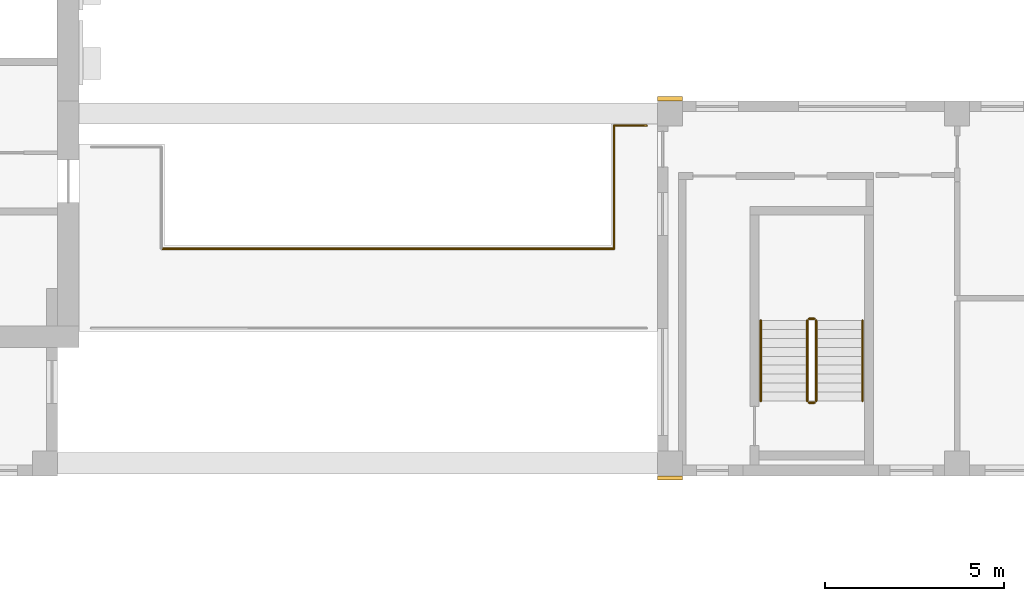
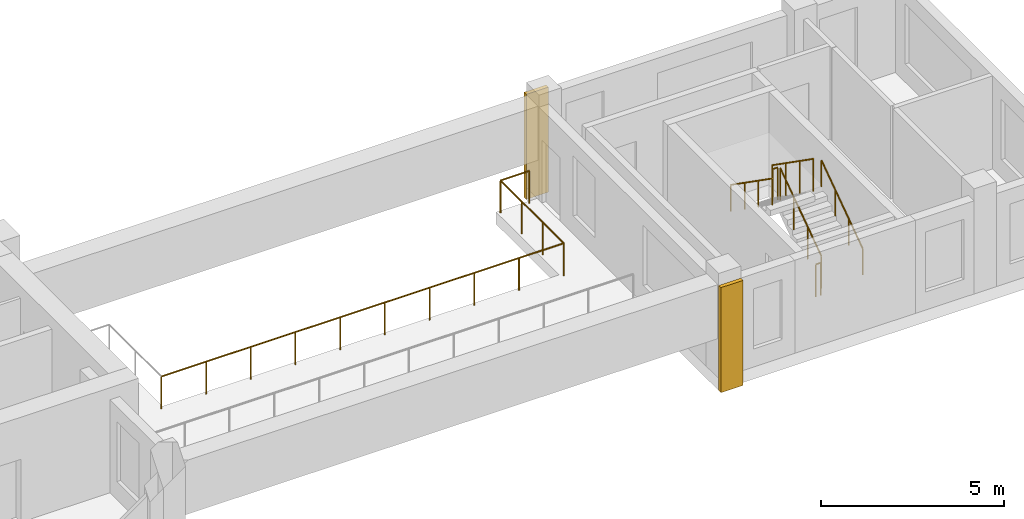
# One storey, part 8 of 9: 9 railings, 2 coverings.
"""IFC4 building model written with IfcOpenShell, lengths in metres."""

import ifcopenshell
import ifcopenshell.guid

model = None  # the IFC model being written
_history = None  # IfcOwnerHistory: only IFC2X3 demands one
_inside = {}  # id of a spatial element -> (the spatial element, [elements in it])
_under = {}  # id of a project, library or spatial element -> (it, [spatial elements below it])
_declared = {}  # id of a project -> (the project, [libraries it declares])
_typed = {}  # id of a type object -> (the type object, [elements of that type])
_made_of = {}  # id of a material, layer set ... -> (it, [elements and type objects made of it])


def new_model(schema):
    """Start an empty IFC model of exactly this schema.

    Asked for "IFC4X3", IfcOpenShell would pick the latest addendum, in which some entities
    have other attributes; the version numbers below select the first issue.
    IFC2X3 requires an IfcOwnerHistory on every rooted entity: one is made here for all.
    """
    global model, _history
    if schema == "IFC4X3":
        model = ifcopenshell.file(schema_version=(4, 3, 0, 0))
    else:
        model = ifcopenshell.file(schema=schema)
    _inside.clear()
    _under.clear()
    _declared.clear()
    _typed.clear()
    _made_of.clear()
    _history = None
    if model.schema == "IFC2X3":
        org = make("IfcOrganization", Name="unknown")
        user = make(
            "IfcPersonAndOrganization",
            ThePerson=make("IfcPerson", FamilyName="unknown"),
            TheOrganization=org,
        )
        app = make(
            "IfcApplication",
            ApplicationDeveloper=org,
            Version="unknown",
            ApplicationFullName="unknown",
            ApplicationIdentifier="unknown",
        )
        _history = make(
            "IfcOwnerHistory",
            OwningUser=user,
            OwningApplication=app,
            ChangeAction="ADDED",
            CreationDate=0,
        )
    return model


def make(cls, **values):
    """One entity of the class cls with the attributes given. An attribute that is None is left unset."""
    return model.create_entity(
        cls, **{name: value for name, value in values.items() if value is not None}
    )


def rooted(cls, **values):
    """An entity with a GlobalId (a new one), such as an element, a storey or a relation."""
    return make(cls, GlobalId=ifcopenshell.guid.new(), OwnerHistory=_history, **values)


def si_unit(unit_type, name, prefix=None):
    """IfcSIUnit, for example si_unit("LENGTHUNIT", "METRE", prefix="MILLI")."""
    return make("IfcSIUnit", UnitType=unit_type, Prefix=prefix, Name=name)


def assignment(units):
    """IfcUnitAssignment: the units of a project."""
    return None if units is None else make("IfcUnitAssignment", Units=units)


def point(xyz):
    """IfcCartesianPoint."""
    return None if xyz is None else make("IfcCartesianPoint", Coordinates=xyz)


def direction(xyz):
    """IfcDirection."""
    return None if xyz is None else make("IfcDirection", DirectionRatios=xyz)


def frame(location, z_axis=None, x_axis=None):
    """IfcAxis2Placement3D, a coordinate frame: its origin and axes. An axis left out is left unset."""
    return make(
        "IfcAxis2Placement3D",
        Location=point(location),
        Axis=direction(z_axis),
        RefDirection=direction(x_axis),
    )


def frame_2d(location, x_axis=None):
    """IfcAxis2Placement2D, a coordinate frame in the plane: its origin and x axis."""
    return make(
        "IfcAxis2Placement2D", Location=point(location), RefDirection=direction(x_axis)
    )


def origin():
    """The frame at (0, 0, 0) with its axes left unset."""
    return frame((0.0, 0.0, 0.0))


def origin_2d():
    """The frame at (0, 0) in the plane with its x axis left unset."""
    return frame_2d((0.0, 0.0))


def place(relative_to, where):
    """IfcLocalPlacement: puts the frame where relative to a parent placement (None: the world)."""
    return make(
        "IfcLocalPlacement", PlacementRelTo=relative_to, RelativePlacement=where
    )


def context(
    kind, dimensions, precision=None, world=None, true_north=None, identifier=None
):
    """IfcGeometricRepresentationContext, for example the 3D "Model" context."""
    return make(
        "IfcGeometricRepresentationContext",
        ContextIdentifier=identifier,
        ContextType=kind,
        CoordinateSpaceDimension=dimensions,
        Precision=precision,
        WorldCoordinateSystem=world,
        TrueNorth=true_north,
    )


def subcontext(parent, identifier, kind, view, scale=None):
    """IfcGeometricRepresentationSubContext, for example "Body" below "Model"."""
    return make(
        "IfcGeometricRepresentationSubContext",
        ContextIdentifier=identifier,
        ContextType=kind,
        ParentContext=parent,
        TargetScale=scale,
        TargetView=view,
    )


def project(units=None, contexts=None):
    """IfcProject with its units and contexts."""
    return rooted(
        "IfcProject",
        Name="project",
        RepresentationContexts=contexts,
        UnitsInContext=assignment(units),
    )


def spatial(cls, under=None, at=None, **own):
    """A site, building, storey or space (cls), placed at a placement, below another one or the project."""
    s = rooted(cls, ObjectPlacement=at, **own)
    if under is not None:
        _under.setdefault(under.id(), (under, []))[1].append(s)
    return s


def profile(cls, at=None, kind="AREA", **sizes):
    """A parametric profile (cls). Its sizes go by their IFC names, for example OverallWidth=200.0."""
    return make(cls, ProfileType=kind, Position=at, **sizes)


def rectangle(**sizes):
    """IfcRectangleProfileDef."""
    return profile("IfcRectangleProfileDef", **sizes)


def circle(**sizes):
    """IfcCircleProfileDef."""
    return profile("IfcCircleProfileDef", **sizes)


def extrude(swept, where, along, depth):
    """IfcExtrudedAreaSolid: the profile swept, set in the frame where, extruded along a direction by depth."""
    return make(
        "IfcExtrudedAreaSolid",
        SweptArea=swept,
        Position=where,
        ExtrudedDirection=direction(along),
        Depth=depth,
    )


def shape(context_of_items, identifier, shape_type, items):
    """IfcShapeRepresentation: the items that make up one representation, for example the "Body"."""
    return make(
        "IfcShapeRepresentation",
        ContextOfItems=context_of_items,
        RepresentationIdentifier=identifier,
        RepresentationType=shape_type,
        Items=items,
    )


def source(mapping_origin, context_of_items, identifier, shape_type, items):
    """IfcRepresentationMap: a shape defined once, which mapped items show again and again."""
    return make(
        "IfcRepresentationMap",
        MappingOrigin=mapping_origin,
        MappedRepresentation=shape(context_of_items, identifier, shape_type, items),
    )


def transform(
    local_origin,
    x_axis=None,
    y_axis=None,
    z_axis=None,
    scale=None,
    scale2=None,
    scale3=None,
    uniform=True,
):
    """IfcCartesianTransformationOperator3D, or its non-uniform kind. x_axis, y_axis, z_axis: its Axis1, 2, 3."""
    if uniform:
        return make(
            "IfcCartesianTransformationOperator3D",
            Axis1=direction(x_axis),
            Axis2=direction(y_axis),
            LocalOrigin=point(local_origin),
            Scale=scale,
            Axis3=direction(z_axis),
        )
    return make(
        "IfcCartesianTransformationOperator3DnonUniform",
        Axis1=direction(x_axis),
        Axis2=direction(y_axis),
        LocalOrigin=point(local_origin),
        Scale=scale,
        Axis3=direction(z_axis),
        Scale2=scale2,
        Scale3=scale3,
    )


def mapped(mapping_source, mapping_target):
    """IfcMappedItem: shows the shape of a source again, moved by a transform."""
    return make(
        "IfcMappedItem", MappingSource=mapping_source, MappingTarget=mapping_target
    )


def material(Name=None, Category=None):
    """IfcMaterial."""
    return make("IfcMaterial", Name=Name, Category=Category)


def made_of(thing, what):
    """Note that an element or type object is made of a material, layer set ...; save() writes the relation."""
    if what is not None:
        _made_of.setdefault(what.id(), (what, []))[1].append(thing)
    return thing


def type_object(cls, material=None, **own):
    """A type object (cls), such as IfcWallType, which elements share."""
    return made_of(rooted(cls, **own), material)


def element(
    cls,
    number,
    at=None,
    inside=None,
    cuts=None,
    type_object=None,
    material=None,
    context=None,
    identifier="Body",
    shape_type=None,
    held_by="IfcProductDefinitionShape",
    body=None,
    shapes=None,
    **own,
):
    """One element of the class cls, such as IfcWall. Its Tag is "e" and its number.

    at: its placement. inside: the storey or other place that contains it. cuts: it is an
    opening in that element (IfcRelVoidsElement). A single representation is given by context,
    identifier, shape_type and body (its items); several are given by shapes. held_by: the class
    of the entity that holds the representations. save() writes the other relations.
    """
    e = rooted(cls, Tag="e%d" % number, ObjectPlacement=at, **own)
    if body is not None:
        shapes = [shape(context, identifier, shape_type, body)]
    if shapes is not None:
        e.Representation = make(held_by, Representations=shapes)
    if inside is not None:
        _inside.setdefault(inside.id(), (inside, []))[1].append(e)
    if cuts is not None:
        rooted(
            "IfcRelVoidsElement", RelatingBuildingElement=cuts, RelatedOpeningElement=e
        )
    if type_object is not None:
        _typed.setdefault(type_object.id(), (type_object, []))[1].append(e)
    return made_of(e, material)


def aggregate(whole, parts):
    """IfcRelAggregates: a whole, such as a stair, and the parts it consists of."""
    return rooted("IfcRelAggregates", RelatingObject=whole, RelatedObjects=parts)


def save(model, path):
    """Write the relations noted so far, then the file.

    IfcRelAggregates (storeys below a building ...), IfcRelContainedInSpatialStructure (elements
    in a storey), IfcRelDefinesByType, IfcRelAssociatesMaterial and IfcRelDeclares: one each for
    every whole, place, type object, material and project.
    """
    for whole, parts in _under.values():
        aggregate(whole, parts)
    for where, things in _inside.values():
        rooted(
            "IfcRelContainedInSpatialStructure",
            RelatedElements=things,
            RelatingStructure=where,
        )
    for kind, things in _typed.values():
        rooted("IfcRelDefinesByType", RelatedObjects=things, RelatingType=kind)
    for what, things in _made_of.values():
        rooted("IfcRelAssociatesMaterial", RelatedObjects=things, RelatingMaterial=what)
    for by, libraries in _declared.values():
        rooted("IfcRelDeclares", RelatingContext=by, RelatedDefinitions=libraries)
    model.write(path)


model = new_model("IFC4")

# Units and contexts
model_context = context("Model", 3, precision=1e-05, world=origin(), true_north=direction((0.0, 1.0)))
body_context = subcontext(model_context, "Body", "Model", "MODEL_VIEW")
ifc_project = project(units=[si_unit("LENGTHUNIT", "METRE"), si_unit("AREAUNIT", "SQUARE_METRE"), si_unit("VOLUMEUNIT", "CUBIC_METRE"), si_unit("PLANEANGLEUNIT", "RADIAN"), si_unit("MASSUNIT", "GRAM", prefix="KILO")], contexts=[model_context])

# Site, building, storey
site_placement = place(None, origin())
site = spatial("IfcSite", under=ifc_project, at=site_placement, CompositionType="ELEMENT")
building_placement = place(site_placement, origin())
building = spatial("IfcBuilding", under=site, at=building_placement, Name="Aurelian Terraces", CompositionType="ELEMENT")
storey_placement = place(building_placement, frame((0.0, 0.0, 305.5)))
storey = spatial("IfcBuildingStorey", under=building, at=storey_placement, Name="L70", CompositionType="ELEMENT", Elevation=305.5)

# Railing
ifc_material_1 = material(Name="Anodised aluminium", Category="aluminium")
railing_type_1 = type_object("IfcRailingType", Name="GUARD-1100", PredefinedType="GUARDRAIL", material=ifc_material_1)
railing_1_placement = place(storey_placement, frame((36.59, 6.36, 0.0)))
element("IfcRailing", 1, at=railing_1_placement, inside=storey, type_object=railing_type_1, Name="Terrace guard L70 BLADE-S-B70.5", PredefinedType="GUARDRAIL", context=body_context, shape_type="SweptSolid", body=[
    extrude(circle(Radius=0.024, at=origin_2d()), frame((0.0, 0.0, 1.076), z_axis=(0.0, 1.0, 0.0), x_axis=(-1.0, 0.0, 0.0)), (0.0, 0.0, 1.0), 3.45),
    extrude(circle(Radius=0.021, at=origin_2d()), origin(), (0.0, 0.0, 1.0), 1.052),
    extrude(circle(Radius=0.021, at=origin_2d()), frame((0.0, 1.15, 0.0)), (0.0, 0.0, 1.0), 1.052),
    extrude(circle(Radius=0.021, at=origin_2d()), frame((0.0, 2.3, 0.0)), (0.0, 0.0, 1.0), 1.052),
    extrude(circle(Radius=0.021, at=origin_2d()), frame((0.0, 3.45, 0.0)), (0.0, 0.0, 1.0), 1.052),
])

# Coverings
ifc_material_2 = material(Name="Terracotta rainscreen cladding relief", Category="masonry")
covering_type = type_object("IfcCoveringType", Name="BAGUETTE-TC", PredefinedType="CLADDING", material=ifc_material_2)
shared_shape_1 = source(origin(), body_context, "Body", "SweptSolid", [
    extrude(rectangle(XDim=0.7, YDim=0.12, at=origin_2d()), origin(), (0.0, 0.0, 1.0), 3.5),
])
for number, where, z_axis, x_axis, name in (
    (2, (38.15, -0.06, -0.4), (0.0, 0.0, 1.0), (1.0, 0.0, 0.0), "BAGUETTE pier L70 2"),
    (3, (38.15, 10.56, -0.4), (0.0, 0.0, 1.0), (1.0, 0.0, 0.0), "BAGUETTE pier L70 3"),
):
    element("IfcCovering", number, at=place(storey_placement, frame(where, z_axis=z_axis, x_axis=x_axis)), inside=storey, type_object=covering_type, Name=name, PredefinedType="CLADDING", context=body_context, shape_type="MappedRepresentation", body=[
        mapped(shared_shape_1, transform((0.0, 0.0, 0.0), scale=1.0)),
    ])

# Railings
shared_shape_2 = source(origin(), body_context, "Body", "SweptSolid", [
    extrude(circle(Radius=0.024, at=origin_2d()), frame((0.0, 0.0, 1.076), z_axis=(1.0, 0.0, 0.0), x_axis=(0.0, 1.0, 0.0)), (0.0, 0.0, 1.0), 12.68),
    extrude(circle(Radius=0.021, at=origin_2d()), origin(), (0.0, 0.0, 1.0), 1.052),
    extrude(circle(Radius=0.021, at=origin_2d()), frame((1.4089, 0.0, 0.0)), (0.0, 0.0, 1.0), 1.052),
    extrude(circle(Radius=0.021, at=origin_2d()), frame((2.8178, 0.0, 0.0)), (0.0, 0.0, 1.0), 1.052),
    extrude(circle(Radius=0.021, at=origin_2d()), frame((4.2267, 0.0, 0.0)), (0.0, 0.0, 1.0), 1.052),
    extrude(circle(Radius=0.021, at=origin_2d()), frame((5.6356, 0.0, 0.0)), (0.0, 0.0, 1.0), 1.052),
    extrude(circle(Radius=0.021, at=origin_2d()), frame((7.0444, 0.0, 0.0)), (0.0, 0.0, 1.0), 1.052),
    extrude(circle(Radius=0.021, at=origin_2d()), frame((8.4533, 0.0, 0.0)), (0.0, 0.0, 1.0), 1.052),
    extrude(circle(Radius=0.021, at=origin_2d()), frame((9.8622, 0.0, 0.0)), (0.0, 0.0, 1.0), 1.052),
    extrude(circle(Radius=0.021, at=origin_2d()), frame((11.2711, 0.0, 0.0)), (0.0, 0.0, 1.0), 1.052),
    extrude(circle(Radius=0.021, at=origin_2d()), frame((12.68, 0.0, 0.0)), (0.0, 0.0, 1.0), 1.052),
])
railing_2_placement = place(storey_placement, frame((23.91, 6.36, 0.0)))
element("IfcRailing", 4, at=railing_2_placement, inside=storey, type_object=railing_type_1, Name="Terrace guard L70 BLADE-S-B70.4", PredefinedType="GUARDRAIL", context=body_context, shape_type="MappedRepresentation", body=[
    mapped(shared_shape_2, transform((0.0, 0.0, 0.0), scale=1.0)),
])
shared_shape_3 = source(origin(), body_context, "Body", "SweptSolid", [
    extrude(circle(Radius=0.024, at=origin_2d()), frame((0.0, 0.0, 1.076), z_axis=(1.0, 0.0, 0.0), x_axis=(0.0, 1.0, 0.0)), (0.0, 0.0, 1.0), 0.91),
    extrude(circle(Radius=0.021, at=origin_2d()), origin(), (0.0, 0.0, 1.0), 1.052),
    extrude(circle(Radius=0.021, at=origin_2d()), frame((0.91, 0.0, 0.0)), (0.0, 0.0, 1.0), 1.052),
])
railing_3_placement = place(storey_placement, frame((36.59, 9.81, 0.0)))
element("IfcRailing", 5, at=railing_3_placement, inside=storey, type_object=railing_type_1, Name="Terrace guard L70 BLADE-S-B70.6", PredefinedType="GUARDRAIL", context=body_context, shape_type="MappedRepresentation", body=[
    mapped(shared_shape_3, transform((0.0, 0.0, 0.0), scale=1.0)),
])
ifc_material_3 = material(Name="Stainless steel", Category="steel")
railing_type_2 = type_object("IfcRailingType", Name="Stair guard 1100", PredefinedType="GUARDRAIL", material=ifc_material_3)
shared_shape_4 = source(origin(), body_context, "Body", "SweptSolid", [
    extrude(circle(Radius=0.024, at=origin_2d()), frame((0.0, 0.0, 1.076), z_axis=(-1.0, 0.0, 0.0), x_axis=(0.0, -1.0, 0.0)), (0.0, 0.0, 1.0), 0.15),
    extrude(circle(Radius=0.021, at=origin_2d()), origin(), (0.0, 0.0, 1.0), 1.052),
    extrude(circle(Radius=0.021, at=origin_2d()), frame((-0.15, 0.0, 0.0)), (0.0, 0.0, 1.0), 1.052),
])
for number, where, name in (
    (6, (42.2, 4.4, 1.75), "L70 S2 stair guard 2"),
    (7, (42.2, 2.05, 0.0), "L70 S2 stair guard 4"),
):
    element("IfcRailing", number, at=place(storey_placement, frame(where)), inside=storey, type_object=railing_type_2, Name=name, PredefinedType="GUARDRAIL", context=body_context, shape_type="MappedRepresentation", body=[
        mapped(shared_shape_4, transform((0.0, 0.0, 0.0), scale=1.0)),
    ])
shared_shape_5 = source(origin(), body_context, "Body", "SweptSolid", [
    extrude(circle(Radius=0.024, at=origin_2d()), frame((0.0, 0.0, 1.076), z_axis=(0.0, 0.819231920519, 0.573462344363), x_axis=(-1.0, 0.0, 0.0)), (0.0, 0.0, 1.0), 2.7465),
    extrude(circle(Radius=0.021, at=origin_2d()), origin(), (0.0, 0.0, 1.0), 1.052),
    extrude(circle(Radius=0.021, at=origin_2d()), frame((0.0, 0.75, 0.525)), (0.0, 0.0, 1.0), 1.052),
    extrude(circle(Radius=0.021, at=origin_2d()), frame((0.0, 1.5, 1.05)), (0.0, 0.0, 1.0), 1.052),
    extrude(circle(Radius=0.021, at=origin_2d()), frame((0.0, 2.25, 1.575)), (0.0, 0.0, 1.0), 1.052),
])
railing_4_placement = place(storey_placement, frame((42.25, 2.1, 0.175)))
element("IfcRailing", 8, at=railing_4_placement, inside=storey, type_object=railing_type_2, Name="L70 S2 stair guard 1", PredefinedType="GUARDRAIL", context=body_context, shape_type="MappedRepresentation", body=[
    mapped(shared_shape_5, transform((0.0, 0.0, 0.0), scale=1.0)),
])
shared_shape_6 = source(origin(), body_context, "Body", "SweptSolid", [
    extrude(circle(Radius=0.024, at=origin_2d()), frame((0.0, 0.0, 1.076), z_axis=(0.0, -0.819231920519, 0.573462344363), x_axis=(1.0, 0.0, 0.0)), (0.0, 0.0, 1.0), 2.7465),
    extrude(circle(Radius=0.021, at=origin_2d()), origin(), (0.0, 0.0, 1.0), 1.052),
    extrude(circle(Radius=0.021, at=origin_2d()), frame((0.0, -0.75, 0.525)), (0.0, 0.0, 1.0), 1.052),
    extrude(circle(Radius=0.021, at=origin_2d()), frame((0.0, -1.5, 1.05)), (0.0, 0.0, 1.0), 1.052),
    extrude(circle(Radius=0.021, at=origin_2d()), frame((0.0, -2.25, 1.575)), (0.0, 0.0, 1.0), 1.052),
])
railing_5_placement = place(storey_placement, frame((42.0, 4.35, 1.925)))
element("IfcRailing", 9, at=railing_5_placement, inside=storey, type_object=railing_type_2, Name="L70 S2 stair guard 3", PredefinedType="GUARDRAIL", context=body_context, shape_type="MappedRepresentation", body=[
    mapped(shared_shape_6, transform((0.0, 0.0, 0.0), scale=1.0)),
])
railing_type_3 = type_object("IfcRailingType", Name="Stair handrail", PredefinedType="HANDRAIL", material=ifc_material_3)
shared_shape_7 = source(origin(), body_context, "Body", "SweptSolid", [
    extrude(circle(Radius=0.024, at=origin_2d()), frame((0.0, 0.0, 0.876), z_axis=(0.0, 0.819231920519, 0.573462344363), x_axis=(-1.0, 0.0, 0.0)), (0.0, 0.0, 1.0), 2.7465),
    extrude(circle(Radius=0.021, at=origin_2d()), origin(), (0.0, 0.0, 1.0), 0.852),
    extrude(circle(Radius=0.021, at=origin_2d()), frame((0.0, 0.75, 0.525)), (0.0, 0.0, 1.0), 0.852),
    extrude(circle(Radius=0.021, at=origin_2d()), frame((0.0, 1.5, 1.05)), (0.0, 0.0, 1.0), 0.852),
    extrude(circle(Radius=0.021, at=origin_2d()), frame((0.0, 2.25, 1.575)), (0.0, 0.0, 1.0), 0.852),
])
railing_6_placement = place(storey_placement, frame((43.55, 2.1, 0.175)))
element("IfcRailing", 10, at=railing_6_placement, inside=storey, type_object=railing_type_3, Name="L70 S2 stair handrail 1", PredefinedType="HANDRAIL", context=body_context, shape_type="MappedRepresentation", body=[
    mapped(shared_shape_7, transform((0.0, 0.0, 0.0), scale=1.0)),
])
shared_shape_8 = source(origin(), body_context, "Body", "SweptSolid", [
    extrude(circle(Radius=0.024, at=origin_2d()), frame((0.0, 0.0, 0.876), z_axis=(0.0, -0.819231920519, 0.573462344363), x_axis=(1.0, 0.0, 0.0)), (0.0, 0.0, 1.0), 2.7465),
    extrude(circle(Radius=0.021, at=origin_2d()), origin(), (0.0, 0.0, 1.0), 0.852),
    extrude(circle(Radius=0.021, at=origin_2d()), frame((0.0, -0.75, 0.525)), (0.0, 0.0, 1.0), 0.852),
    extrude(circle(Radius=0.021, at=origin_2d()), frame((0.0, -1.5, 1.05)), (0.0, 0.0, 1.0), 0.852),
    extrude(circle(Radius=0.021, at=origin_2d()), frame((0.0, -2.25, 1.575)), (0.0, 0.0, 1.0), 0.852),
])
railing_7_placement = place(storey_placement, frame((40.7, 4.35, 1.925)))
element("IfcRailing", 11, at=railing_7_placement, inside=storey, type_object=railing_type_3, Name="L70 S2 stair handrail 2", PredefinedType="HANDRAIL", context=body_context, shape_type="MappedRepresentation", body=[
    mapped(shared_shape_8, transform((0.0, 0.0, 0.0), scale=1.0)),
])

save(model, "model.ifc")
